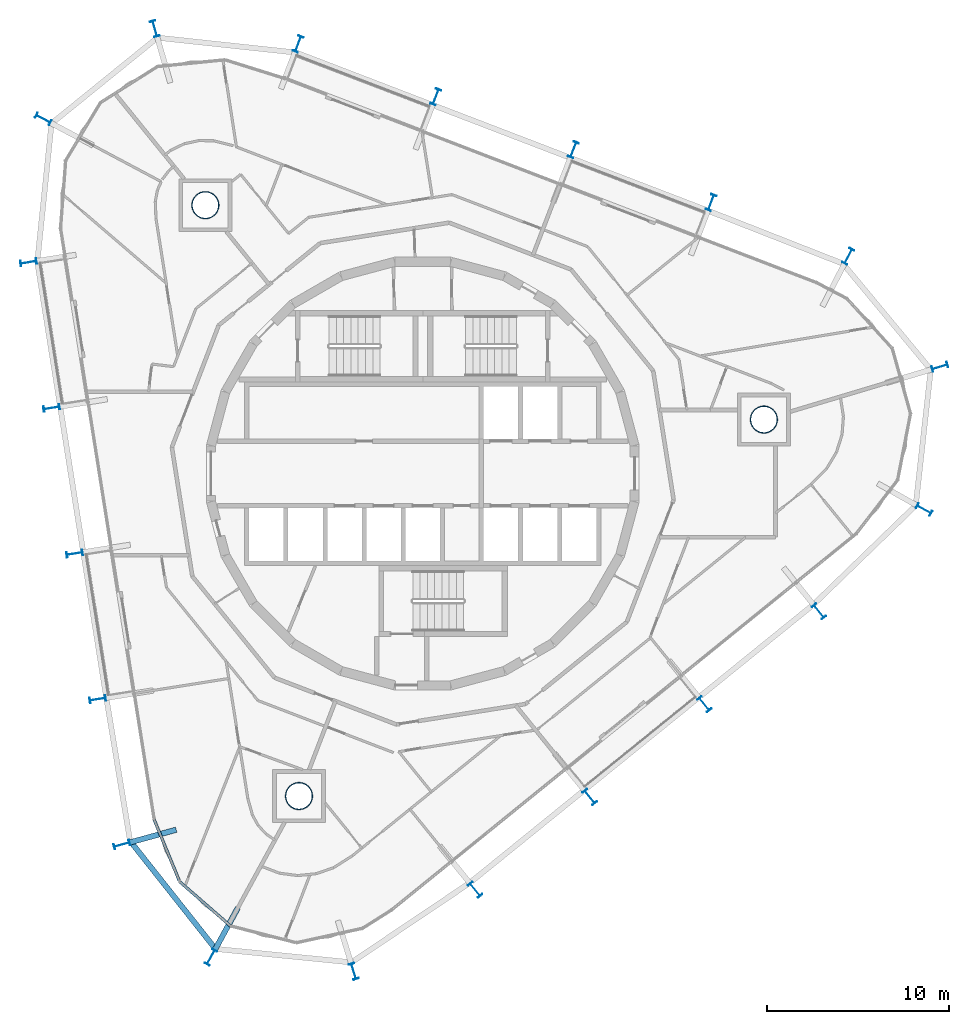
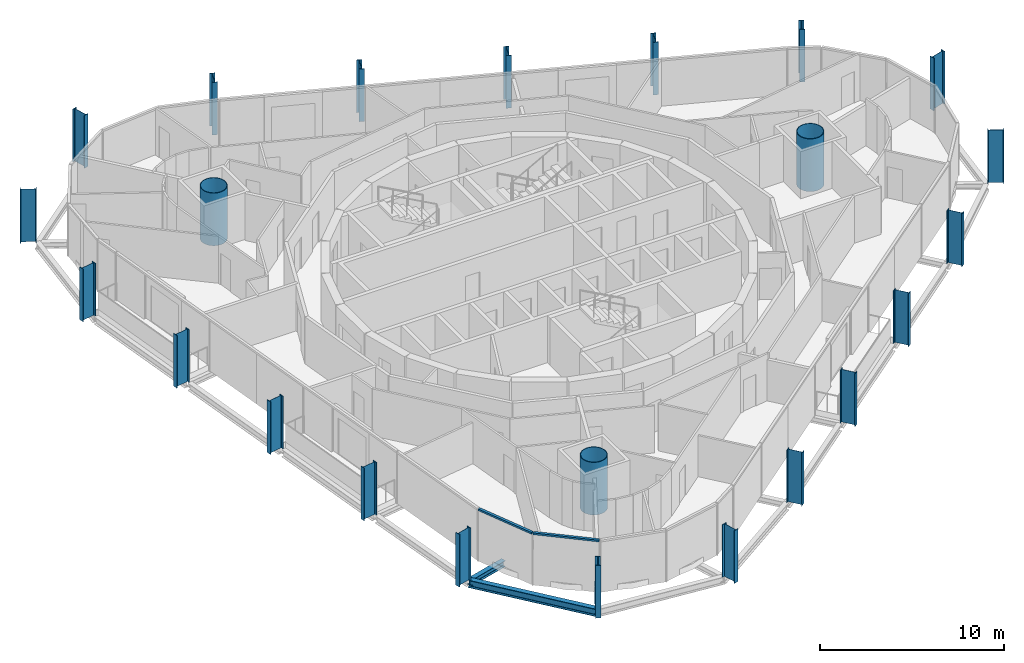
# One storey, part 1 of 17: 23 columns, 3 beams, 2 members, 1 element without a shape of its own.
"""IFC4 building model written with IfcOpenShell, lengths in metres."""

import ifcopenshell
import ifcopenshell.guid

model = None  # the IFC model being written
_history = None  # IfcOwnerHistory: only IFC2X3 demands one
_inside = {}  # id of a spatial element -> (the spatial element, [elements in it])
_under = {}  # id of a project, library or spatial element -> (it, [spatial elements below it])
_declared = {}  # id of a project -> (the project, [libraries it declares])
_typed = {}  # id of a type object -> (the type object, [elements of that type])
_made_of = {}  # id of a material, layer set ... -> (it, [elements and type objects made of it])


def new_model(schema):
    """Start an empty IFC model of exactly this schema.

    Asked for "IFC4X3", IfcOpenShell would pick the latest addendum, in which some entities
    have other attributes; the version numbers below select the first issue.
    IFC2X3 requires an IfcOwnerHistory on every rooted entity: one is made here for all.
    """
    global model, _history
    if schema == "IFC4X3":
        model = ifcopenshell.file(schema_version=(4, 3, 0, 0))
    else:
        model = ifcopenshell.file(schema=schema)
    _inside.clear()
    _under.clear()
    _declared.clear()
    _typed.clear()
    _made_of.clear()
    _history = None
    if model.schema == "IFC2X3":
        org = make("IfcOrganization", Name="unknown")
        user = make(
            "IfcPersonAndOrganization",
            ThePerson=make("IfcPerson", FamilyName="unknown"),
            TheOrganization=org,
        )
        app = make(
            "IfcApplication",
            ApplicationDeveloper=org,
            Version="unknown",
            ApplicationFullName="unknown",
            ApplicationIdentifier="unknown",
        )
        _history = make(
            "IfcOwnerHistory",
            OwningUser=user,
            OwningApplication=app,
            ChangeAction="ADDED",
            CreationDate=0,
        )
    return model


def make(cls, **values):
    """One entity of the class cls with the attributes given. An attribute that is None is left unset."""
    return model.create_entity(
        cls, **{name: value for name, value in values.items() if value is not None}
    )


def rooted(cls, **values):
    """An entity with a GlobalId (a new one), such as an element, a storey or a relation."""
    return make(cls, GlobalId=ifcopenshell.guid.new(), OwnerHistory=_history, **values)


def si_unit(unit_type, name, prefix=None):
    """IfcSIUnit, for example si_unit("LENGTHUNIT", "METRE", prefix="MILLI")."""
    return make("IfcSIUnit", UnitType=unit_type, Prefix=prefix, Name=name)


def assignment(units):
    """IfcUnitAssignment: the units of a project."""
    return None if units is None else make("IfcUnitAssignment", Units=units)


def point(xyz):
    """IfcCartesianPoint."""
    return None if xyz is None else make("IfcCartesianPoint", Coordinates=xyz)


def direction(xyz):
    """IfcDirection."""
    return None if xyz is None else make("IfcDirection", DirectionRatios=xyz)


def frame(location, z_axis=None, x_axis=None):
    """IfcAxis2Placement3D, a coordinate frame: its origin and axes. An axis left out is left unset."""
    return make(
        "IfcAxis2Placement3D",
        Location=point(location),
        Axis=direction(z_axis),
        RefDirection=direction(x_axis),
    )


def frame_2d(location, x_axis=None):
    """IfcAxis2Placement2D, a coordinate frame in the plane: its origin and x axis."""
    return make(
        "IfcAxis2Placement2D", Location=point(location), RefDirection=direction(x_axis)
    )


def origin():
    """The frame at (0, 0, 0) with its axes left unset."""
    return frame((0.0, 0.0, 0.0))


def origin_2d():
    """The frame at (0, 0) in the plane with its x axis left unset."""
    return frame_2d((0.0, 0.0))


def place(relative_to, where):
    """IfcLocalPlacement: puts the frame where relative to a parent placement (None: the world)."""
    return make(
        "IfcLocalPlacement", PlacementRelTo=relative_to, RelativePlacement=where
    )


def context(
    kind, dimensions, precision=None, world=None, true_north=None, identifier=None
):
    """IfcGeometricRepresentationContext, for example the 3D "Model" context."""
    return make(
        "IfcGeometricRepresentationContext",
        ContextIdentifier=identifier,
        ContextType=kind,
        CoordinateSpaceDimension=dimensions,
        Precision=precision,
        WorldCoordinateSystem=world,
        TrueNorth=true_north,
    )


def subcontext(parent, identifier, kind, view, scale=None):
    """IfcGeometricRepresentationSubContext, for example "Body" below "Model"."""
    return make(
        "IfcGeometricRepresentationSubContext",
        ContextIdentifier=identifier,
        ContextType=kind,
        ParentContext=parent,
        TargetScale=scale,
        TargetView=view,
    )


def project(units=None, contexts=None):
    """IfcProject with its units and contexts."""
    return rooted(
        "IfcProject",
        Name="project",
        RepresentationContexts=contexts,
        UnitsInContext=assignment(units),
    )


def spatial(cls, under=None, at=None, **own):
    """A site, building, storey or space (cls), placed at a placement, below another one or the project."""
    s = rooted(cls, ObjectPlacement=at, **own)
    if under is not None:
        _under.setdefault(under.id(), (under, []))[1].append(s)
    return s


def profile(cls, at=None, kind="AREA", **sizes):
    """A parametric profile (cls). Its sizes go by their IFC names, for example OverallWidth=200.0."""
    return make(cls, ProfileType=kind, Position=at, **sizes)


def rectangle(**sizes):
    """IfcRectangleProfileDef."""
    return profile("IfcRectangleProfileDef", **sizes)


def hollow_circle(**sizes):
    """IfcCircleHollowProfileDef."""
    return profile("IfcCircleHollowProfileDef", **sizes)


def i_section(**sizes):
    """IfcIShapeProfileDef."""
    return profile("IfcIShapeProfileDef", **sizes)


def extrude(swept, where, along, depth):
    """IfcExtrudedAreaSolid: the profile swept, set in the frame where, extruded along a direction by depth."""
    return make(
        "IfcExtrudedAreaSolid",
        SweptArea=swept,
        Position=where,
        ExtrudedDirection=direction(along),
        Depth=depth,
    )


def shape(context_of_items, identifier, shape_type, items):
    """IfcShapeRepresentation: the items that make up one representation, for example the "Body"."""
    return make(
        "IfcShapeRepresentation",
        ContextOfItems=context_of_items,
        RepresentationIdentifier=identifier,
        RepresentationType=shape_type,
        Items=items,
    )


def material(Name=None, Category=None):
    """IfcMaterial."""
    return make("IfcMaterial", Name=Name, Category=Category)


def layer(
    of_material, thickness, ventilated=None, Name=None, Category=None, Priority=None
):
    """IfcMaterialLayer: one layer of a wall or slab, of a material (None: an air gap)."""
    return make(
        "IfcMaterialLayer",
        Material=of_material,
        LayerThickness=thickness,
        IsVentilated=ventilated,
        Name=Name,
        Category=Category,
        Priority=Priority,
    )


def layer_set(layers, Name=None):
    """IfcMaterialLayerSet."""
    return make("IfcMaterialLayerSet", MaterialLayers=layers, LayerSetName=Name)


def material_profile(
    of_material, cross_section, Name=None, Category=None, Priority=None
):
    """IfcMaterialProfile: a cross section and its material."""
    return make(
        "IfcMaterialProfile",
        Name=Name,
        Material=of_material,
        Profile=cross_section,
        Priority=Priority,
        Category=Category,
    )


def profile_set(profiles, Name=None, composite=None):
    """IfcMaterialProfileSet."""
    return make(
        "IfcMaterialProfileSet",
        Name=Name,
        MaterialProfiles=profiles,
        CompositeProfile=composite,
    )


def made_of(thing, what):
    """Note that an element or type object is made of a material, layer set ...; save() writes the relation."""
    if what is not None:
        _made_of.setdefault(what.id(), (what, []))[1].append(thing)
    return thing


def type_object(cls, material=None, **own):
    """A type object (cls), such as IfcWallType, which elements share."""
    return made_of(rooted(cls, **own), material)


def element(
    cls,
    number,
    at=None,
    inside=None,
    cuts=None,
    type_object=None,
    material=None,
    context=None,
    identifier="Body",
    shape_type=None,
    held_by="IfcProductDefinitionShape",
    body=None,
    shapes=None,
    **own,
):
    """One element of the class cls, such as IfcWall. Its Tag is "e" and its number.

    at: its placement. inside: the storey or other place that contains it. cuts: it is an
    opening in that element (IfcRelVoidsElement). A single representation is given by context,
    identifier, shape_type and body (its items); several are given by shapes. held_by: the class
    of the entity that holds the representations. save() writes the other relations.
    """
    e = rooted(cls, Tag="e%d" % number, ObjectPlacement=at, **own)
    if body is not None:
        shapes = [shape(context, identifier, shape_type, body)]
    if shapes is not None:
        e.Representation = make(held_by, Representations=shapes)
    if inside is not None:
        _inside.setdefault(inside.id(), (inside, []))[1].append(e)
    if cuts is not None:
        rooted(
            "IfcRelVoidsElement", RelatingBuildingElement=cuts, RelatedOpeningElement=e
        )
    if type_object is not None:
        _typed.setdefault(type_object.id(), (type_object, []))[1].append(e)
    return made_of(e, material)


def aggregate(whole, parts):
    """IfcRelAggregates: a whole, such as a stair, and the parts it consists of."""
    return rooted("IfcRelAggregates", RelatingObject=whole, RelatedObjects=parts)


def save(model, path):
    """Write the relations noted so far, then the file.

    IfcRelAggregates (storeys below a building ...), IfcRelContainedInSpatialStructure (elements
    in a storey), IfcRelDefinesByType, IfcRelAssociatesMaterial and IfcRelDeclares: one each for
    every whole, place, type object, material and project.
    """
    for whole, parts in _under.values():
        aggregate(whole, parts)
    for where, things in _inside.values():
        rooted(
            "IfcRelContainedInSpatialStructure",
            RelatedElements=things,
            RelatingStructure=where,
        )
    for kind, things in _typed.values():
        rooted("IfcRelDefinesByType", RelatedObjects=things, RelatingType=kind)
    for what, things in _made_of.values():
        rooted("IfcRelAssociatesMaterial", RelatedObjects=things, RelatingMaterial=what)
    for by, libraries in _declared.values():
        rooted("IfcRelDeclares", RelatingContext=by, RelatedDefinitions=libraries)
    model.write(path)


model = new_model("IFC4")

# Units and contexts
model_context = context("Model", 3, precision=1e-05, world=origin(), true_north=direction((0.0, 1.0)))
body_context = subcontext(model_context, "Body", "Model", "MODEL_VIEW")
ifc_project = project(units=[si_unit("LENGTHUNIT", "METRE"), si_unit("AREAUNIT", "SQUARE_METRE"), si_unit("VOLUMEUNIT", "CUBIC_METRE"), si_unit("PLANEANGLEUNIT", "RADIAN"), si_unit("MASSUNIT", "GRAM", prefix="KILO")], contexts=[model_context])

# Site, building, storey
site_placement = place(None, origin())
site = spatial("IfcSite", under=ifc_project, at=site_placement, CompositionType="ELEMENT")
building_placement = place(site_placement, origin())
building = spatial("IfcBuilding", under=site, at=building_placement, Name="Spindle Arch Residences", CompositionType="ELEMENT")
storey_placement = place(building_placement, frame((0.0, 0.0, 266.89990234375)))
storey = spatial("IfcBuildingStorey", under=building, at=storey_placement, Name="L68", CompositionType="ELEMENT", Elevation=266.89990234375)

# Columns
ifc_material_1 = material(Name="Steel S460ML, intumescent coating R 240", Category="steel")
ifc_material_profile_1 = material_profile(ifc_material_1, i_section(OverallWidth=0.300048828125, OverallDepth=0.89990234375, WebThickness=0.0185546875, FlangeThickness=0.034912109375, FilletRadius=0.030029296875, at=origin_2d()), Name="HEB 900")
ifc_profile_set_1 = profile_set([ifc_material_profile_1], Name="Steel S460ML, intumescent coating R 240")
column_type_1 = type_object("IfcColumnType", Name="Exoskeleton post HEB 900", PredefinedType="COLUMN", material=ifc_profile_set_1)
for number, where, z_axis, x_axis, name in (
    (1, (15.48291015625, -12.67822265625, -0.3798828125), (0.0, 0.0, 1.0), (-0.777146167973, -0.629320136024, 0.0), "Exoskeleton post 1"),
    (2, (21.78369140625, -7.575927734375, -0.3798828125), (0.0, 0.0, 1.0), (-0.777146167973, -0.629320136024, 0.0), "Exoskeleton post 2"),
    (3, (27.56494140625, -1.975830078125, -0.3798828125), (0.0, 0.0, 1.0), (-0.489802299008, -0.871833532211, 0.0), "Exoskeleton post 3"),
    (4, (28.43505859375, 5.86767578125, -0.3798828125), (0.0, 0.0, 1.0), (0.286784074183, -0.957995247794, 0.0), "Exoskeleton post 4"),
    (5, (23.398193359375, 11.94287109375, -0.3798828125), (0.0, 0.0, 1.0), (0.888285893192, -0.45929094478, 0.0), "Exoskeleton post 5"),
    (6, (15.853515625, 14.9052734375, -0.3798828125), (0.0, 0.0, 1.0), (0.933580354843, -0.35836813621, 0.0), "Exoskeleton post 6"),
    (7, (8.2841796875, 17.810791015625, -0.3798828125), (0.0, 0.0, 1.0), (0.933580354843, -0.35836813621, 0.0), "Exoskeleton post 7"),
    (8, (0.715087890625, 20.71630859375, -0.3798828125), (0.0, 0.0, 1.0), (0.933580354843, -0.35836813621, 0.0), "Exoskeleton post 8"),
    (9, (-6.85400390625, 23.621826171875, -0.3798828125), (0.0, 0.0, 1.0), (0.933580354843, -0.35836813621, 0.0), "Exoskeleton post 9"),
    (10, (-14.7373046875, 24.468994140625, -0.3798828125), (0.0, 0.0, 1.0), (0.961245152333, 0.275695043693, 0.0), "Exoskeleton post 10"),
    (11, (-20.870361328125, 19.502685546875, -0.3798828125), (0.0, 0.0, 1.0), (0.469525073676, 0.882919138534, 0.0), "Exoskeleton post 11"),
    (12, (-21.6806640625, 11.615234375, -0.3798828125), (0.0, 0.0, 1.0), (-0.156434064006, 0.987688404113, 0.0), "Exoskeleton post 12"),
    (13, (-20.412353515625, 3.607666015625, -0.3798828125), (0.0, 0.0, 1.0), (-0.156434064006, 0.987688404113, 0.0), "Exoskeleton post 13"),
    (14, (-19.143798828125, -4.400146484375, -0.3798828125), (0.0, 0.0, 1.0), (-0.156434064006, 0.987688404113, 0.0), "Exoskeleton post 14"),
    (15, (-17.87548828125, -12.407958984375, -0.3798828125), (0.0, 0.0, 1.0), (-0.156434064006, 0.987688404113, 0.0), "Exoskeleton post 15"),
    (16, (-16.546630859375, -20.40380859375, -0.3798828125), (0.0, 0.0, 1.0), (-0.264568938302, 0.964366775084, 0.0), "Exoskeleton post 16"),
    (17, (-11.651611328125, -26.59375, -0.3798828125), (0.0, 0.0, 1.0), (-0.877434810632, 0.479695896472, 0.0), "Exoskeleton post 17"),
    (18, (-3.79833984375, -27.373291015625, -0.3798828125), (0.0, 0.0, 1.0), (-0.95461733225, -0.297835103654, 0.0), "Exoskeleton post 18"),
    (19, (2.88134765625, -22.8828125, -0.3798828125), (0.0, 0.0, 1.0), (-0.777146167973, -0.629320136024, 0.0), "Exoskeleton post 19"),
    (20, (9.18212890625, -17.780517578125, -0.3798828125), (0.0, 0.0, 1.0), (-0.777146167973, -0.629320136024, 0.0), "Exoskeleton post 20"),
):
    element("IfcColumn", number, at=place(storey_placement, frame(where, z_axis=z_axis, x_axis=x_axis)), inside=storey, type_object=column_type_1, Name=name, PredefinedType="COLUMN", context=body_context, shape_type="SweptSolid", body=[
        extrude(i_section(OverallWidth=0.300048828125, OverallDepth=0.89990234375, WebThickness=0.0185546875, FlangeThickness=0.034912109375, FilletRadius=0.030029296875, at=origin_2d()), origin(), (0.0, 0.0, 1.0), 3.5),
    ])
ifc_material_2 = material(Name="Concrete C50/60 filled steel tube S460ML, intumescent coating R 240", Category="concrete")
ifc_material_profile_2 = material_profile(ifc_material_2, hollow_circle(Radius=0.75, WallThickness=0.034912109375, at=origin_2d()), Name="CFT D1500x35")
ifc_profile_set_2 = profile_set([ifc_material_profile_2], Name="Concrete C50/60 filled steel tube S460ML, intumescent coating R 240")
column_type_2 = type_object("IfcColumnType", Name="Mega-column CFT D1500x35", PredefinedType="COLUMN", material=ifc_profile_set_2)
for number, where, z_axis, x_axis, name in (
    (21, (18.759521484375, 2.97119140625, -0.3798828125), (0.0, 0.0, 1.0), (1.0, 0.0, 0.0), "Mega-column 1"),
    (22, (-11.952880859375, 14.760498046875, -0.3798828125), (0.0, 0.0, 1.0), (1.0, 0.0, 0.0), "Mega-column 2"),
    (23, (-6.806640625, -17.731689453125, -0.3798828125), (0.0, 0.0, 1.0), (1.0, 0.0, 0.0), "Mega-column 3"),
):
    element("IfcColumn", number, at=place(storey_placement, frame(where, z_axis=z_axis, x_axis=x_axis)), inside=storey, type_object=column_type_2, Name=name, PredefinedType="COLUMN", context=body_context, shape_type="SweptSolid", body=[
        extrude(hollow_circle(Radius=0.75, WallThickness=0.034912109375, at=origin_2d()), origin(), (0.0, 0.0, 1.0), 3.5),
    ])

# Curtain wall, members
ifc_material_3 = material(Name="Aluminium bronze unitised frame with tinted glass", Category="aluminium")
ifc_layer = layer(ifc_material_3, 0.159912109375)
ifc_layer_set = layer_set([ifc_layer], Name="CW-D corner wall on the fillet arcs")
curtain_wall_type = type_object("IfcCurtainWallType", Name="CW-D corner wall on the fillet arcs", PredefinedType="NOTDEFINED", material=ifc_layer_set)
curtain_wall_placement = place(storey_placement, origin())
curtain_wall = element("IfcCurtainWall", 24, at=curtain_wall_placement, inside=storey, type_object=curtain_wall_type, Name="CW-D L68 run 5", PredefinedType="NOTDEFINED")
ifc_material_4 = material(Name="Aluminium bronze anodised transom", Category="aluminium")
ifc_material_profile_3 = material_profile(ifc_material_4, rectangle(XDim=0.159912109375, YDim=0.1201171875, at=origin_2d()), Name="TR 120x160")
ifc_profile_set_3 = profile_set([ifc_material_profile_3], Name="Aluminium bronze anodised transom")
member_type = type_object("IfcMemberType", Name="Bronze transom 120x160", PredefinedType="USERDEFINED", material=ifc_profile_set_3)
member_1_placement = place(storey_placement, frame((-14.775634765625, -19.0234375, 3.06005859375), z_axis=(0.379996173922, -0.924988058196, 0.0), x_axis=(0.924988058196, 0.379996173922, 0.0)))
member_1 = element("IfcMember", 25, at=member_1_placement, type_object=member_type, Name="CW-D transom 01", ObjectType="TRANSOM", PredefinedType="USERDEFINED", context=body_context, shape_type="SweptSolid", body=[
    extrude(rectangle(XDim=0.159912109375, YDim=0.1201171875, at=origin_2d()), origin(), (0.0, 0.0, 1.0), 3.666748046875),
])
member_2_placement = place(storey_placement, frame((-13.348388671875, -22.462646484375, 3.06005859375), z_axis=(0.754721618998, -0.656045179708, 0.0), x_axis=(0.656045179708, 0.754721618998, 0.0)))
member_2 = element("IfcMember", 26, at=member_2_placement, type_object=member_type, Name="CW-D transom 02", ObjectType="TRANSOM", PredefinedType="USERDEFINED", context=body_context, shape_type="SweptSolid", body=[
    extrude(rectangle(XDim=0.159912109375, YDim=0.1201171875, at=origin_2d()), origin(), (0.0, 0.0, 1.0), 3.666748046875),
])
aggregate(curtain_wall, [member_1, member_2])

# Beams
ifc_material_5 = material(Name="Steel S460ML, intumescent coating R 120", Category="steel")
ifc_material_profile_4 = material_profile(ifc_material_5, i_section(OverallWidth=0.300048828125, OverallDepth=0.5, WebThickness=0.014404296875, FlangeThickness=0.028076171875, FilletRadius=0.027099609375, at=origin_2d()), Name="HEB 500")
ifc_profile_set_4 = profile_set([ifc_material_profile_4], Name="Steel S460ML, intumescent coating R 120")
beam_type_1 = type_object("IfcBeamType", Name="Exoskeleton edge beam HEB 500", PredefinedType="BEAM", material=ifc_profile_set_4)
beam_1_placement = place(storey_placement, frame((-16.089599609375, -20.2080078125, -0.6298828125), z_axis=(0.62029234527, -0.784370707255, 0.0), x_axis=(0.784370707255, 0.62029234527, 0.0)))
element("IfcBeam", 27, at=beam_1_placement, inside=storey, type_object=beam_type_1, Name="Exoskeleton edge beam 16", PredefinedType="BEAM", context=body_context, shape_type="SweptSolid", body=[
    extrude(i_section(OverallWidth=0.300048828125, OverallDepth=0.5, WebThickness=0.014404296875, FlangeThickness=0.028076171875, FilletRadius=0.027099609375, at=origin_2d()), origin(), (0.0, 0.0, 1.0), 7.631591796875),
])
ifc_material_6 = material(Name="Steel S460ML, intumescent coating R 120", Category="steel")
ifc_material_profile_5 = material_profile(ifc_material_6, i_section(OverallWidth=0.300048828125, OverallDepth=0.389892578125, WebThickness=0.010986328125, FlangeThickness=0.01904296875, FilletRadius=0.027099609375, at=origin_2d()), Name="HEA 400")
ifc_profile_set_5 = profile_set([ifc_material_profile_5], Name="Steel S460ML, intumescent coating R 120")
beam_type_2 = type_object("IfcBeamType", Name="Floor outrigger HEA 400", PredefinedType="BEAM", material=ifc_profile_set_5)
beam_2_placement = place(storey_placement, frame((-16.11279296875, -20.28466796875, -0.574951171875), z_axis=(0.964363028022, 0.264582596148, 0.0), x_axis=(-0.264582596148, 0.964363028022, 0.0)))
element("IfcBeam", 28, at=beam_2_placement, inside=storey, type_object=beam_type_2, Name="Floor outrigger 16", PredefinedType="BEAM", context=body_context, shape_type="SweptSolid", body=[
    extrude(i_section(OverallWidth=0.300048828125, OverallDepth=0.389892578125, WebThickness=0.010986328125, FlangeThickness=0.01904296875, FilletRadius=0.027099609375, at=origin_2d()), origin(), (0.0, 0.0, 1.0), 2.650146484375),
])
beam_3_placement = place(storey_placement, frame((-11.435546875, -26.198974609375, -0.574951171875), z_axis=(0.479710393666, 0.877426884822, 0.0), x_axis=(-0.877426884822, 0.479710393666, 0.0)))
element("IfcBeam", 29, at=beam_3_placement, inside=storey, type_object=beam_type_2, Name="Floor outrigger 17", PredefinedType="BEAM", context=body_context, shape_type="SweptSolid", body=[
    extrude(i_section(OverallWidth=0.300048828125, OverallDepth=0.389892578125, WebThickness=0.010986328125, FlangeThickness=0.01904296875, FilletRadius=0.027099609375, at=origin_2d()), origin(), (0.0, 0.0, 1.0), 2.64990234375),
])

save(model, "model.ifc")
